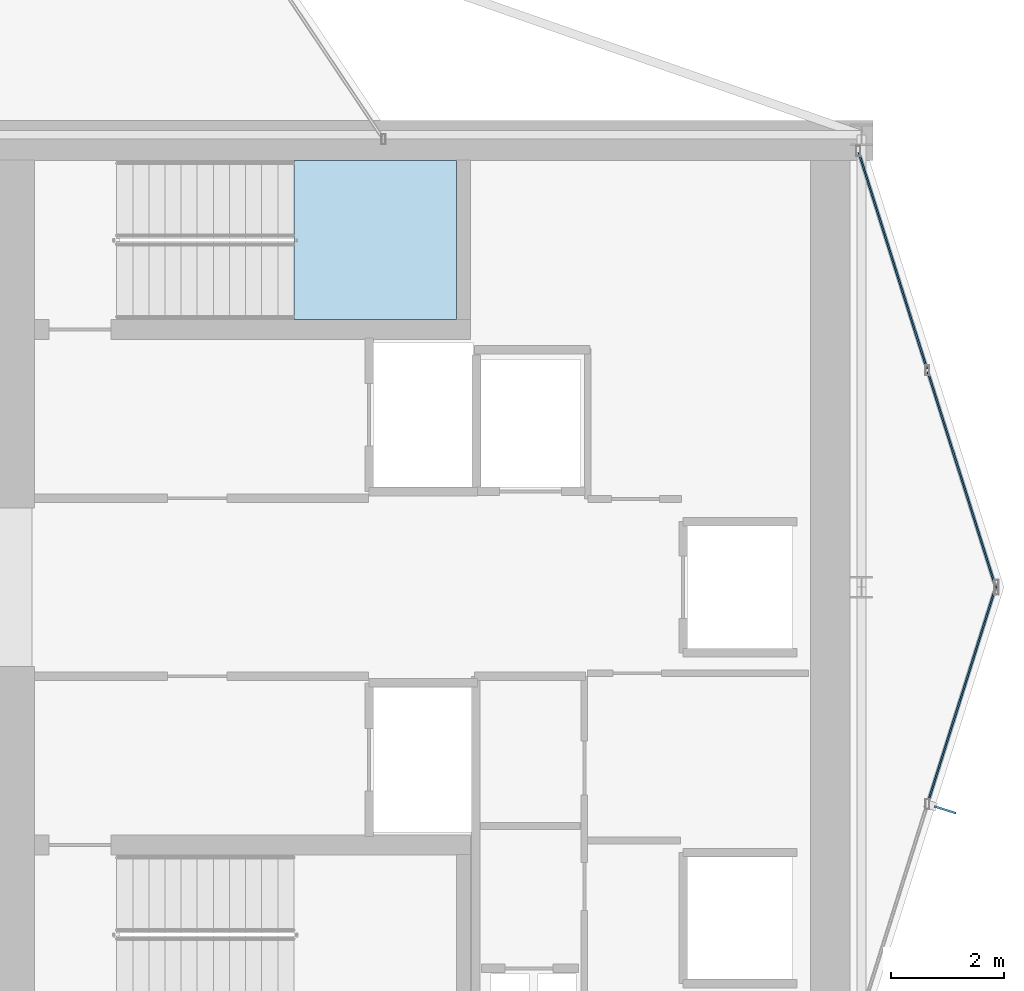
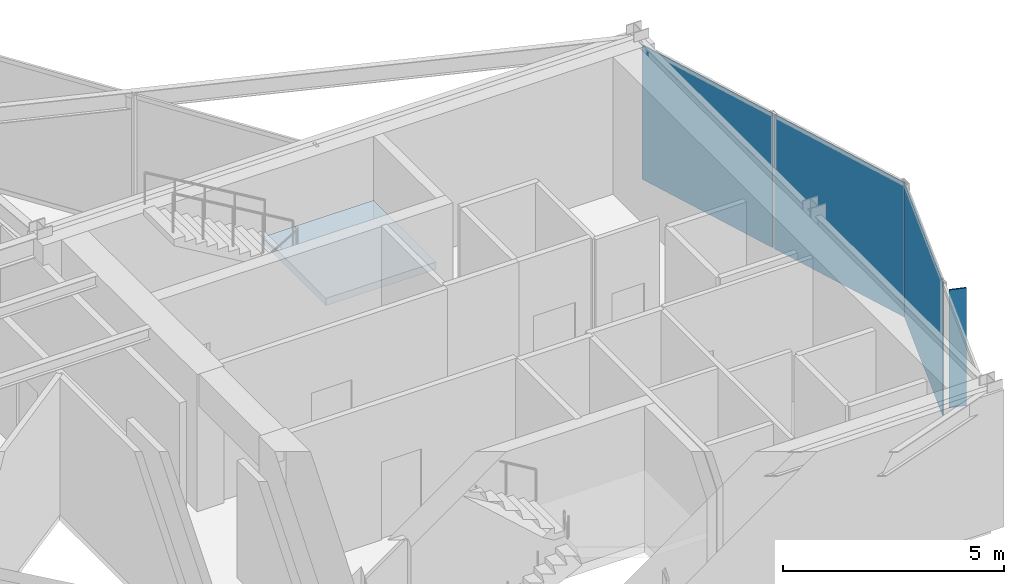
# One storey, part 19 of 22: 4 plates, 1 slab, 3 elements without a shape of their own.
"""IFC4 building model written with IfcOpenShell, lengths in metres."""

from ifc_helpers import new_model, si_unit, direction, frame, origin, origin_2d, place, context, subcontext, project, spatial, polyline, rectangle, outline, extrude, material, layer, layer_set, type_object, element, aggregate, save


model = new_model("IFC4")

# Units and contexts
model_context = context("Model", 3, precision=1e-05, world=origin(), true_north=direction((0.0, 1.0)))
body_context = subcontext(model_context, "Body", "Model", "MODEL_VIEW")
ifc_project = project(units=[si_unit("LENGTHUNIT", "METRE"), si_unit("AREAUNIT", "SQUARE_METRE"), si_unit("VOLUMEUNIT", "CUBIC_METRE"), si_unit("PLANEANGLEUNIT", "RADIAN"), si_unit("MASSUNIT", "GRAM", prefix="KILO")], contexts=[model_context])

# Site, building, storey
site_placement = place(None, origin())
site = spatial("IfcSite", under=ifc_project, at=site_placement, CompositionType="ELEMENT")
building_placement = place(site_placement, origin())
building = spatial("IfcBuilding", under=site, at=building_placement, Name="Veymaron Broadcast Tower", CompositionType="ELEMENT")
storey_placement = place(building_placement, frame((0.0, 0.0, 204.0)))
storey = spatial("IfcBuildingStorey", under=building, at=storey_placement, Name="L47", CompositionType="ELEMENT", Elevation=204.0)

# Curtain wall, plate
ifc_material_1 = material(Name="Anodised aluminium AA 6063-T6 and laminated low-E dark glass", Category="aluminium")
ifc_layer_1 = layer(ifc_material_1, 0.179931640625)
ifc_layer_set_1 = layer_set([ifc_layer_1], Name="Anodised aluminium AA 6063-T6 and laminated low-E dark glass")
curtain_wall_type = type_object("IfcCurtainWallType", Name="CW-SYS-05", PredefinedType="NOTDEFINED", material=ifc_layer_set_1)
curtain_wall_1_placement = place(storey_placement, origin())
curtain_wall_1 = element("IfcCurtainWall", 1, at=curtain_wall_1_placement, inside=storey, type_object=curtain_wall_type, Name="L47 dark-glass curtain wall CW-L47-E2-1", PredefinedType="NOTDEFINED")
ifc_material_2 = material(Name="Double-silver solar-control dark glass IGU 32 mm", Category="glass")
ifc_layer_2 = layer(ifc_material_2, 0.031982421875)
ifc_layer_set_2 = layer_set([ifc_layer_2], Name="Double-silver solar-control dark glass IGU 32 mm")
plate_type_1 = type_object("IfcPlateType", Name="CW-PNL-02", PredefinedType="CURTAIN_PANEL", material=ifc_layer_set_2)
plate_1_placement = place(storey_placement, frame((56.375732421875, 22.10302734375, 0.0400390625), z_axis=(0.0, 0.0, 1.0), x_axis=(0.300456106688, 0.953795642658, 0.0)))
plate_1 = element("IfcPlate", 2, at=plate_1_placement, type_object=plate_type_1, Name="CW-L47-E2-1 unitised curtain panel 1", PredefinedType="CURTAIN_PANEL", context=body_context, shape_type="SweptSolid", body=[
    extrude(rectangle(XDim=4.005615234375, YDim=0.031982421875, at=origin_2d()), origin(), (0.0, 0.0, 1.0), 3.7099609375),
])
aggregate(curtain_wall_1, [plate_1])

# Curtain wall, plates
curtain_wall_2_placement = place(storey_placement, origin())
curtain_wall_2 = element("IfcCurtainWall", 3, at=curtain_wall_2_placement, inside=storey, type_object=curtain_wall_type, Name="L47 dark-glass curtain wall CW-L47-E3-1", PredefinedType="NOTDEFINED")
plate_2_placement = place(storey_placement, frame((56.375732421875, 25.89697265625, 0.0400390625), z_axis=(0.0, 0.0, 1.0), x_axis=(-0.300456106688, 0.953795642658, 0.0)))
plate_2 = element("IfcPlate", 4, at=plate_2_placement, type_object=plate_type_1, Name="CW-L47-E3-1 unitised curtain panel 0", PredefinedType="CURTAIN_PANEL", context=body_context, shape_type="SweptSolid", body=[
    extrude(rectangle(XDim=4.005615234375, YDim=0.031982421875, at=origin_2d()), origin(), (0.0, 0.0, 1.0), 3.7099609375),
])
plate_3_placement = place(storey_placement, frame((55.154296875, 29.774658203125, 0.0400390625), z_axis=(0.0, 0.0, 1.0), x_axis=(-0.300456106688, 0.953795642658, 0.0)))
plate_3 = element("IfcPlate", 5, at=plate_3_placement, type_object=plate_type_1, Name="CW-L47-E3-1 unitised curtain panel 1", PredefinedType="CURTAIN_PANEL", context=body_context, shape_type="SweptSolid", body=[
    extrude(rectangle(XDim=4.005615234375, YDim=0.031982421875, at=origin_2d()), origin(), (0.0, 0.0, 1.0), 3.7099609375),
])
aggregate(curtain_wall_2, [plate_2, plate_3])

# Plate
ifc_material_3 = material(Name="Dark-anodised aluminium AA 6061-T6", Category="aluminium")
ifc_layer_3 = layer(ifc_material_3, 0.031982421875)
ifc_layer_set_3 = layer_set([ifc_layer_3], Name="Dark-anodised aluminium AA 6061-T6")
plate_type_2 = type_object("IfcPlateType", Name="FIN-CHEV-03", PredefinedType="USERDEFINED", material=ifc_layer_set_3)
plate_4_placement = place(storey_placement, frame((56.07958984375, 20.065185546875, 0.26513671875), z_axis=(0.0, 0.0, 1.0), x_axis=(0.953795642658, -0.300456106688, 0.0)))
element("IfcPlate", 6, at=plate_4_placement, inside=storey, type_object=plate_type_2, Name="CW-L47-E2-1 chevron fin 1", ObjectType="FIN", PredefinedType="USERDEFINED", context=body_context, shape_type="SweptSolid", body=[
    extrude(rectangle(XDim=0.39990234375, YDim=0.034912109375, at=origin_2d()), origin(), (0.0, 0.0, 1.0), 3.259521484375),
])

# Stair, slab
ifc_material_4 = material(Name="Concrete C50/60", Category="concrete")
stair_type = type_object("IfcStairType", Name="STAIR-CORE-1", PredefinedType="HALF_TURN_STAIR", material=ifc_material_4)
stair_placement = place(storey_placement, origin())
stair = element("IfcStair", 7, at=stair_placement, inside=storey, type_object=stair_type, Name="L47 North protected dog-leg exit stair ST1", PredefinedType="HALF_TURN_STAIR")
ifc_layer_4 = layer(ifc_material_4, 0.199951171875)
ifc_layer_set_4 = layer_set([ifc_layer_4], Name="Concrete C50/60")
slab_type = type_object("IfcSlabType", Name="SLAB-STAIR-LDG", PredefinedType="LANDING", material=ifc_layer_set_4)
slab_placement = place(storey_placement, frame((0.0, 0.0, 1.824951171875)))
slab = element("IfcSlab", 8, at=slab_placement, type_object=slab_type, Name="ST1 landing 1", PredefinedType="LANDING", context=body_context, shape_type="SweptSolid", body=[
    extrude(outline(polyline([(44.56494140625, 28.72998046875), (47.43994140625, 28.72998046875), (47.43994140625, 31.550048828125), (44.56494140625, 31.550048828125), (44.56494140625, 28.72998046875)])), origin(), (0.0, 0.0, 1.0), 0.199951171875),
])
aggregate(stair, [slab])

save(model, "model.ifc")
